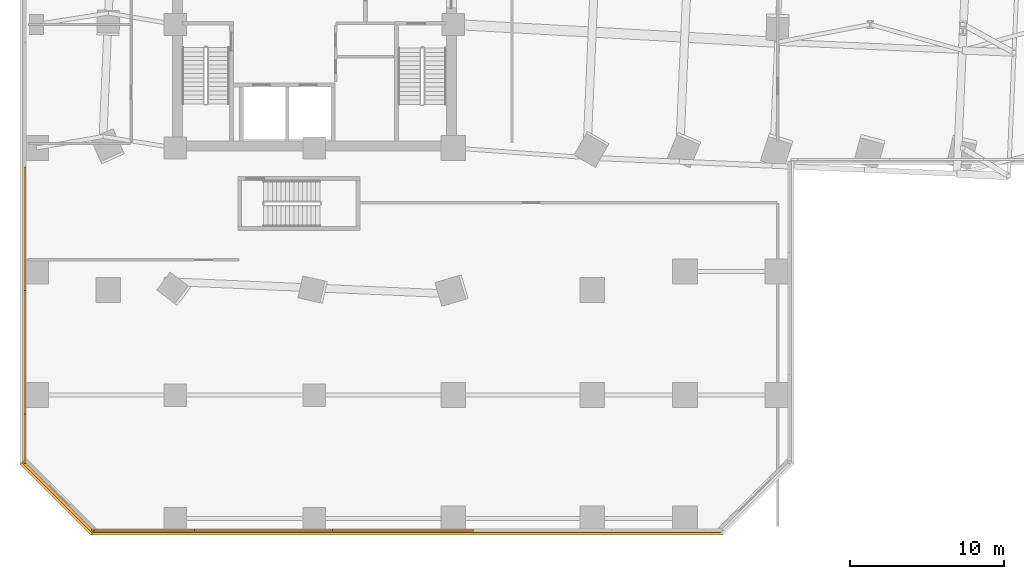
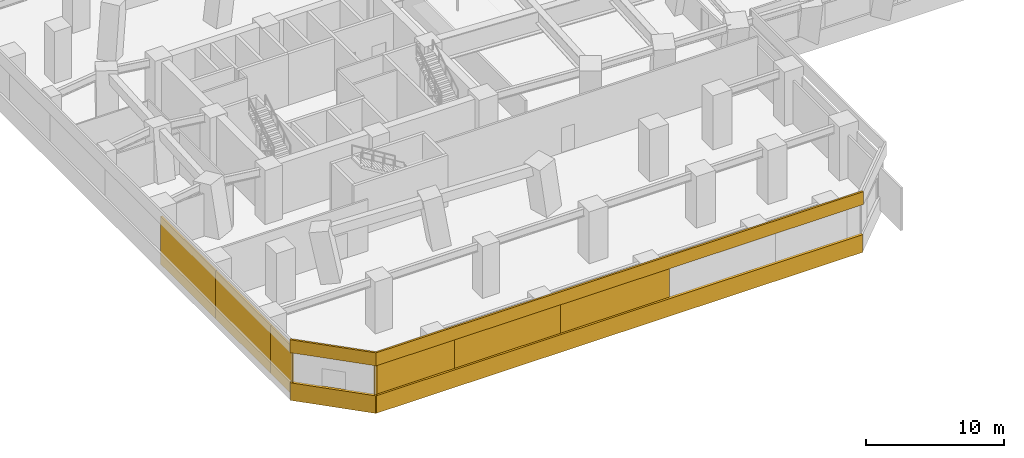
# One storey, part 8 of 14: 11 coverings.
"""IFC4 building model written with IfcOpenShell, lengths in metres."""

from ifc_helpers import new_model, si_unit, direction, frame, origin, origin_2d, place, context, subcontext, project, spatial, rectangle, extrude, source, transform, mapped, material, layer, layer_set, type_object, element, save


model = new_model("IFC4")

# Units and contexts
model_context = context("Model", 3, precision=1e-05, world=origin(), true_north=direction((0.0, 1.0)))
body_context = subcontext(model_context, "Body", "Model", "MODEL_VIEW")
ifc_project = project(units=[si_unit("LENGTHUNIT", "METRE"), si_unit("AREAUNIT", "SQUARE_METRE"), si_unit("VOLUMEUNIT", "CUBIC_METRE"), si_unit("PLANEANGLEUNIT", "RADIAN"), si_unit("MASSUNIT", "GRAM", prefix="KILO")], contexts=[model_context])

# Site, building, storey
site_placement = place(None, origin())
site = spatial("IfcSite", under=ifc_project, at=site_placement, CompositionType="ELEMENT")
building_placement = place(site_placement, origin())
building = spatial("IfcBuilding", under=site, at=building_placement, Name="Torre Montelarca", CompositionType="ELEMENT")
storey_placement = place(building_placement, frame((0.0, 0.0, 28.0)))
storey = spatial("IfcBuildingStorey", under=building, at=storey_placement, Name="L06", CompositionType="ELEMENT", Elevation=28.0)

# Coverings
ifc_material = material(Name="Bush-hammered warm white precast concrete C45/55", Category="concrete")
ifc_layer = layer(ifc_material, 0.139892578125, Name="Bush-hammered warm white precast concrete C45/55", Category="concrete")
ifc_layer_set = layer_set([ifc_layer], Name="Bush-hammered warm white precast concrete C45/55")
covering_type = type_object("IfcCoveringType", Name="COV-TRAY-CLAD", PredefinedType="CLADDING", material=ifc_layer_set)
shared_shape_1 = source(origin(), body_context, "Body", "SweptSolid", [
    extrude(rectangle(XDim=40.919921875, YDim=0.219970703125, at=origin_2d()), origin(), (0.0, 0.0, 1.0), 1.56005859375),
])
covering_1_placement = place(storey_placement, frame((24.0, -0.8701171875, -0.400146484375), z_axis=(0.0, 0.0, 1.0), x_axis=(1.0, 0.0, 0.0)))
element("IfcCovering", 1, at=covering_1_placement, inside=storey, type_object=covering_type, Name="L06 Architectural White Spandrel Tray Band PODBOT-01", PredefinedType="CLADDING", context=body_context, shape_type="MappedRepresentation", body=[
    mapped(shared_shape_1, transform((0.0, 0.0, 0.0), scale=1.0)),
])
shared_shape_2 = source(origin(), body_context, "Body", "SweptSolid", [
    extrude(rectangle(XDim=6.48388671875, YDim=0.219970703125, at=origin_2d()), origin(), (0.0, 0.0, 1.0), 1.56005859375),
])
covering_2_placement = place(storey_placement, frame((1.37109375, 1.37109375, -0.400146484375), z_axis=(0.0, 0.0, 1.0), x_axis=(0.707106781187, -0.707106781187, 0.0)))
element("IfcCovering", 2, at=covering_2_placement, inside=storey, type_object=covering_type, Name="L06 Architectural White Spandrel Tray Band PODBOT-11", PredefinedType="CLADDING", context=body_context, shape_type="MappedRepresentation", body=[
    mapped(shared_shape_2, transform((0.0, 0.0, 0.0), scale=1.0)),
])
shared_shape_3 = source(origin(), body_context, "Body", "SweptSolid", [
    extrude(rectangle(XDim=0.179931640625, YDim=0.139892578125, at=origin_2d()), origin(), (0.0, 0.0, 1.0), 4.25),
])
covering_3_placement = place(storey_placement, frame((3.64990234375, -0.739990234375, 0.0), z_axis=(0.0, 0.0, 1.0), x_axis=(1.0, 0.0, 0.0)))
element("IfcCovering", 3, at=covering_3_placement, inside=storey, type_object=covering_type, Name="L06 Architectural Column Pier Cladding E01-1", PredefinedType="CLADDING", context=body_context, shape_type="MappedRepresentation", body=[
    mapped(shared_shape_3, transform((0.0, 0.0, 0.0), scale=1.0)),
])
shared_shape_4 = source(origin(), body_context, "Body", "SweptSolid", [
    extrude(rectangle(XDim=6.5849609375, YDim=0.139892578125, at=origin_2d()), origin(), (0.0, 0.0, 1.0), 4.25),
])
covering_4_placement = place(storey_placement, frame((6.952392578125, -0.739990234375, 0.0), z_axis=(0.0, 0.0, 1.0), x_axis=(1.0, 0.0, 0.0)))
element("IfcCovering", 4, at=covering_4_placement, inside=storey, type_object=covering_type, Name="L06 Architectural Column Pier Cladding E01-2", PredefinedType="CLADDING", context=body_context, shape_type="MappedRepresentation", body=[
    mapped(shared_shape_4, transform((0.0, 0.0, 0.0), scale=1.0)),
])
shared_shape_5 = source(origin(), body_context, "Body", "SweptSolid", [
    extrude(rectangle(XDim=9.080078125, YDim=0.139892578125, at=origin_2d()), origin(), (0.0, 0.0, 1.0), 4.25),
])
covering_5_placement = place(storey_placement, frame((14.705078125, -0.739990234375, 0.0), z_axis=(0.0, 0.0, 1.0), x_axis=(1.0, 0.0, 0.0)))
element("IfcCovering", 5, at=covering_5_placement, inside=storey, type_object=covering_type, Name="L06 Architectural Column Pier Cladding E01-3", PredefinedType="CLADDING", context=body_context, shape_type="MappedRepresentation", body=[
    mapped(shared_shape_5, transform((0.0, 0.0, 0.0), scale=1.0)),
])
shared_shape_6 = source(origin(), body_context, "Body", "SweptSolid", [
    extrude(rectangle(XDim=9.155029296875, YDim=0.139892578125, at=origin_2d()), origin(), (0.0, 0.0, 1.0), 4.25),
])
covering_6_placement = place(storey_placement, frame((23.742431640625, -0.739990234375, 0.0), z_axis=(0.0, 0.0, 1.0), x_axis=(1.0, 0.0, 0.0)))
element("IfcCovering", 6, at=covering_6_placement, inside=storey, type_object=covering_type, Name="L06 Architectural Column Pier Cladding E01-4", PredefinedType="CLADDING", context=body_context, shape_type="MappedRepresentation", body=[
    mapped(shared_shape_6, transform((0.0, 0.0, 0.0), scale=1.0)),
])
shared_shape_7 = source(origin(), body_context, "Body", "SweptSolid", [
    extrude(rectangle(XDim=8.080078125, YDim=0.139892578125, at=origin_2d()), origin(), (0.0, 0.0, 1.0), 4.25),
])
for number, where, z_axis, x_axis, name in (
    (7, (-0.739990234375, 18.719970703125, 0.0), (0.0, 0.0, 1.0), (0.0, -1.0, 0.0), "L06 Architectural Column Pier Cladding E10-6"),
    (8, (-0.739990234375, 10.719970703125, 0.0), (0.0, 0.0, 1.0), (0.0, -1.0, 0.0), "L06 Architectural Column Pier Cladding E10-7"),
):
    element("IfcCovering", number, at=place(storey_placement, frame(where, z_axis=z_axis, x_axis=x_axis)), inside=storey, type_object=covering_type, Name=name, PredefinedType="CLADDING", context=body_context, shape_type="MappedRepresentation", body=[
        mapped(shared_shape_7, transform((0.0, 0.0, 0.0), scale=1.0)),
    ])
shared_shape_8 = source(origin(), body_context, "Body", "SweptSolid", [
    extrude(rectangle(XDim=3.199951171875, YDim=0.139892578125, at=origin_2d()), origin(), (0.0, 0.0, 1.0), 4.25),
])
covering_7_placement = place(storey_placement, frame((-0.739990234375, 5.159912109375, 0.0), z_axis=(0.0, 0.0, 1.0), x_axis=(0.0, -1.0, 0.0)))
element("IfcCovering", 9, at=covering_7_placement, inside=storey, type_object=covering_type, Name="L06 Architectural Column Pier Cladding E10-8", PredefinedType="CLADDING", context=body_context, shape_type="MappedRepresentation", body=[
    mapped(shared_shape_8, transform((0.0, 0.0, 0.0), scale=1.0)),
])
shared_shape_9 = source(origin(), body_context, "Body", "SweptSolid", [
    extrude(rectangle(XDim=40.919921875, YDim=0.159912109375, at=origin_2d()), origin(), (0.0, 0.0, 1.0), 1.14990234375),
])
covering_8_placement = place(storey_placement, frame((24.0, -0.97998046875, 3.885009765625), z_axis=(0.0, 0.0, 1.0), x_axis=(1.0, 0.0, 0.0)))
element("IfcCovering", 10, at=covering_8_placement, inside=storey, type_object=covering_type, Name="L06 Architectural White Spandrel Tray Band SETCORN-01", PredefinedType="CLADDING", context=body_context, shape_type="MappedRepresentation", body=[
    mapped(shared_shape_9, transform((0.0, 0.0, 0.0), scale=1.0)),
])
shared_shape_10 = source(origin(), body_context, "Body", "SweptSolid", [
    extrude(rectangle(XDim=6.48388671875, YDim=0.159912109375, at=origin_2d()), origin(), (0.0, 0.0, 1.0), 1.14990234375),
])
covering_9_placement = place(storey_placement, frame((1.29345703125, 1.29345703125, 3.885009765625), z_axis=(0.0, 0.0, 1.0), x_axis=(0.707106781187, -0.707106781187, 0.0)))
element("IfcCovering", 11, at=covering_9_placement, inside=storey, type_object=covering_type, Name="L06 Architectural White Spandrel Tray Band SETCORN-11", PredefinedType="CLADDING", context=body_context, shape_type="MappedRepresentation", body=[
    mapped(shared_shape_10, transform((0.0, 0.0, 0.0), scale=1.0)),
])

save(model, "model.ifc")
